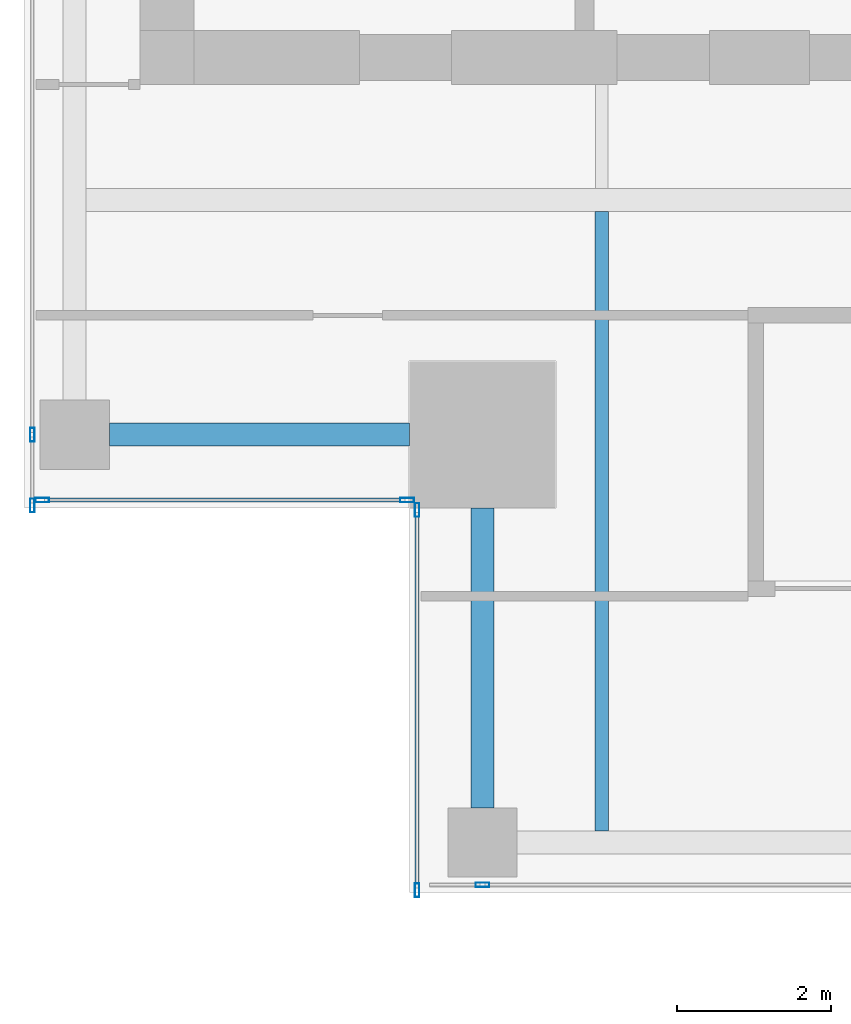
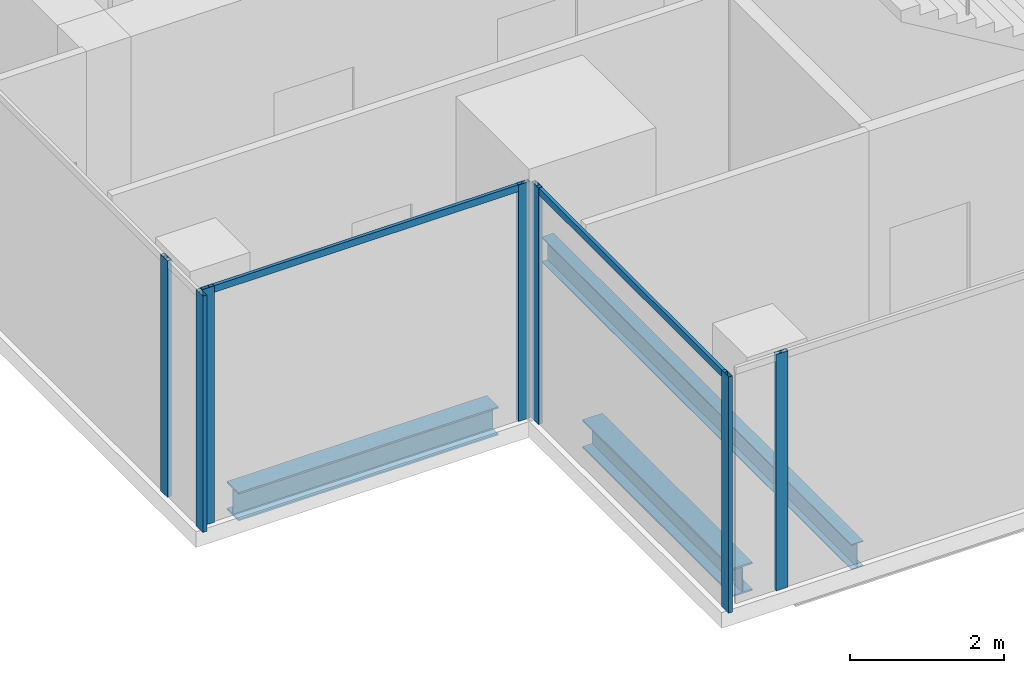
# One storey, part 2 of 36: 9 members, 3 beams, 4 elements without a shape of their own.
"""IFC4 building model written with IfcOpenShell, lengths in metres."""

from ifc_helpers import new_model, si_unit, direction, frame, origin, origin_2d, place, context, subcontext, project, spatial, hollow_rectangle, i_section, extrude, source, transform, mapped, material, material_profile, profile_set, type_object, element, aggregate, save


model = new_model("IFC4")

# Units and contexts
model_context = context("Model", 3, precision=1e-05, world=origin(), true_north=direction((0.0, 1.0)))
body_context = subcontext(model_context, "Body", "Model", "MODEL_VIEW")
ifc_project = project(units=[si_unit("LENGTHUNIT", "METRE"), si_unit("AREAUNIT", "SQUARE_METRE"), si_unit("VOLUMEUNIT", "CUBIC_METRE"), si_unit("PLANEANGLEUNIT", "RADIAN"), si_unit("MASSUNIT", "GRAM", prefix="KILO")], contexts=[model_context])

# Site, building, storey
site_placement = place(None, origin())
site = spatial("IfcSite", under=ifc_project, at=site_placement, CompositionType="ELEMENT")
building_placement = place(site_placement, origin())
building = spatial("IfcBuilding", under=site, at=building_placement, Name="Khomas Fold Tower", CompositionType="ELEMENT")
storey_placement = place(building_placement, frame((0.0, 0.0, 226.199951171875)))
storey = spatial("IfcBuildingStorey", under=building, at=storey_placement, Name="L50", CompositionType="ELEMENT", Elevation=226.199951171875)

# Beams
ifc_material_1 = material(Name="Steel S355", Category="steel")
ifc_material_profile_1 = material_profile(ifc_material_1, i_section(OverallWidth=0.300048828125, OverallDepth=0.449951171875, WebThickness=0.013916015625, FlangeThickness=0.02587890625, at=origin_2d()), Name="HE 450 B")
ifc_profile_set_1 = profile_set([ifc_material_profile_1], Name="Steel S355")
beam_type_1 = type_object("IfcBeamType", Name="HE 450 B spandrel SB4", PredefinedType="SPANDREL", material=ifc_profile_set_1)
shared_shape_1 = source(origin(), body_context, "Body", "SweptSolid", [
    extrude(i_section(OverallWidth=0.300048828125, OverallDepth=0.449951171875, WebThickness=0.013916015625, FlangeThickness=0.02587890625, at=origin_2d()), origin(), (0.0, 0.0, 1.0), 3.89990234375),
])
for number, where, z_axis, x_axis, name in (
    (1, (5.60009765625, 10.449951171875, -0.474853515625), (1.0, 0.0, 0.0), (0.0, 1.0, 0.0), "SB4"),
    (2, (10.449951171875, 5.60009765625, -0.474853515625), (0.0, 1.0, 0.0), (-1.0, 0.0, 0.0), "SB4"),
):
    element("IfcBeam", number, at=place(storey_placement, frame(where, z_axis=z_axis, x_axis=x_axis)), inside=storey, type_object=beam_type_1, Name=name, PredefinedType="SPANDREL", context=body_context, shape_type="MappedRepresentation", body=[
        mapped(shared_shape_1, transform((0.0, 0.0, 0.0))),
    ])
ifc_material_2 = material(Name="Steel S355", Category="steel")
ifc_material_profile_2 = material_profile(ifc_material_2, i_section(OverallWidth=0.179931640625, OverallDepth=0.39990234375, WebThickness=0.008544921875, FlangeThickness=0.013427734375, at=origin_2d()), Name="IPE 400")
ifc_profile_set_2 = profile_set([ifc_material_profile_2], Name="Steel S355")
beam_type_2 = type_object("IfcBeamType", Name="IPE 400 beam JB3", PredefinedType="BEAM", material=ifc_profile_set_2)
shared_shape_2 = source(origin(), body_context, "Body", "SweptSolid", [
    extrude(i_section(OverallWidth=0.179931640625, OverallDepth=0.39990234375, WebThickness=0.008544921875, FlangeThickness=0.013427734375, at=origin_2d()), origin(), (0.0, 0.0, 1.0), 8.050048828125),
])
beam_placement = place(storey_placement, frame((12.0, 5.300048828125, -0.449951171875), z_axis=(0.0, 1.0, 0.0), x_axis=(-1.0, 0.0, 0.0)))
element("IfcBeam", 3, at=beam_placement, inside=storey, type_object=beam_type_2, Name="JB3", PredefinedType="BEAM", context=body_context, shape_type="MappedRepresentation", body=[
    mapped(shared_shape_2, transform((0.0, 0.0, 0.0))),
])

# Curtain wall, member
ifc_material_3 = material(Name="Aluminium framed double glazing", Category="aluminium")
curtain_wall_type = type_object("IfcCurtainWallType", Name="SK-Unitised clear-glass wall, office floors CW2", PredefinedType="NOTDEFINED", material=ifc_material_3)
curtain_wall_1_placement = place(storey_placement, origin())
curtain_wall_1 = element("IfcCurtainWall", 4, at=curtain_wall_1_placement, inside=storey, type_object=curtain_wall_type, Name="CW2 run L50 00-0", PredefinedType="NOTDEFINED")
ifc_material_4 = material(Name="Aluminium", Category="aluminium")
ifc_material_profile_3 = material_profile(ifc_material_4, hollow_rectangle(XDim=0.06005859375, YDim=0.179931640625, WallThickness=0.00390625, at=origin_2d()), Name="SK-Unitised clear-glass wall, office floors mullion CW2-M")
ifc_profile_set_3 = profile_set([ifc_material_profile_3], Name="Aluminium")
member_type_1 = type_object("IfcMemberType", Name="SK-Unitised clear-glass wall, office floors mullion CW2-M", PredefinedType="MULLION", material=ifc_profile_set_3)
shared_shape_3 = source(origin(), body_context, "Body", "SweptSolid", [
    extrude(hollow_rectangle(XDim=0.06005859375, YDim=0.179931640625, WallThickness=0.00390625, at=origin_2d()), origin(), (0.0, 0.0, 1.0), 3.75),
])
member_1_placement = place(storey_placement, frame((10.449951171875, 4.60009765625, 0.0), z_axis=(0.0, 0.0, 1.0), x_axis=(0.0, 1.0, 0.0)))
member_1 = element("IfcMember", 5, at=member_1_placement, type_object=member_type_1, Name="CW2 mullion 2", PredefinedType="MULLION", context=body_context, shape_type="MappedRepresentation", body=[
    mapped(shared_shape_3, transform((0.0, 0.0, 0.0))),
])
aggregate(curtain_wall_1, [member_1])

# Curtain wall, members
curtain_wall_2_placement = place(storey_placement, origin())
curtain_wall_2 = element("IfcCurtainWall", 6, at=curtain_wall_2_placement, inside=storey, type_object=curtain_wall_type, Name="CW2 run L50 09-0", PredefinedType="NOTDEFINED")
member_2_placement = place(storey_placement, frame((4.60009765625, 10.449951171875, 0.0), z_axis=(0.0, 0.0, 1.0), x_axis=(1.0, 0.0, 0.0)))
member_2 = element("IfcMember", 7, at=member_2_placement, type_object=member_type_1, Name="CW2 mullion 6", PredefinedType="MULLION", context=body_context, shape_type="MappedRepresentation", body=[
    mapped(shared_shape_3, transform((0.0, 0.0, 0.0))),
])
member_3_placement = place(storey_placement, frame((4.60009765625, 9.530029296875, 0.0), z_axis=(0.0, 0.0, 1.0), x_axis=(1.0, 0.0, 0.0)))
member_3 = element("IfcMember", 8, at=member_3_placement, type_object=member_type_1, Name="CW2 mullion 7", PredefinedType="MULLION", context=body_context, shape_type="MappedRepresentation", body=[
    mapped(shared_shape_3, transform((0.0, 0.0, 0.0))),
])
aggregate(curtain_wall_2, [member_2, member_3])

curtain_wall_3_placement = place(storey_placement, origin())
curtain_wall_3 = element("IfcCurtainWall", 9, at=curtain_wall_3_placement, inside=storey, type_object=curtain_wall_type, Name="CW2 corner return L50 10", PredefinedType="NOTDEFINED")
member_4_placement = place(storey_placement, frame((4.72998046875, 9.60009765625, 0.0), z_axis=(0.0, 0.0, 1.0), x_axis=(0.0, 1.0, 0.0)))
member_4 = element("IfcMember", 10, at=member_4_placement, type_object=member_type_1, Name="CW2 mullion 1", PredefinedType="MULLION", context=body_context, shape_type="MappedRepresentation", body=[
    mapped(shared_shape_3, transform((0.0, 0.0, 0.0))),
])
member_5_placement = place(storey_placement, frame((9.469970703125, 9.60009765625, 0.0), z_axis=(0.0, 0.0, 1.0), x_axis=(0.0, 1.0, 0.0)))
member_5 = element("IfcMember", 11, at=member_5_placement, type_object=member_type_1, Name="CW2 mullion 2", PredefinedType="MULLION", context=body_context, shape_type="MappedRepresentation", body=[
    mapped(shared_shape_3, transform((0.0, 0.0, 0.0))),
])

curtain_wall_4_placement = place(storey_placement, origin())
curtain_wall_4 = element("IfcCurtainWall", 12, at=curtain_wall_4_placement, inside=storey, type_object=curtain_wall_type, Name="CW2 corner return L50 11", PredefinedType="NOTDEFINED")
member_6_placement = place(storey_placement, frame((9.60009765625, 9.469970703125, 0.0), z_axis=(0.0, 0.0, 1.0), x_axis=(1.0, 0.0, 0.0)))
member_6 = element("IfcMember", 13, at=member_6_placement, type_object=member_type_1, Name="CW2 mullion 1", PredefinedType="MULLION", context=body_context, shape_type="MappedRepresentation", body=[
    mapped(shared_shape_3, transform((0.0, 0.0, 0.0))),
])
member_7_placement = place(storey_placement, frame((9.60009765625, 4.530029296875, 0.0), z_axis=(0.0, 0.0, 1.0), x_axis=(1.0, 0.0, 0.0)))
member_7 = element("IfcMember", 14, at=member_7_placement, type_object=member_type_1, Name="CW2 mullion 2", PredefinedType="MULLION", context=body_context, shape_type="MappedRepresentation", body=[
    mapped(shared_shape_3, transform((0.0, 0.0, 0.0))),
])

# Member
ifc_material_5 = material(Name="Aluminium", Category="aluminium")
ifc_material_profile_4 = material_profile(ifc_material_5, hollow_rectangle(XDim=0.050048828125, YDim=0.110107421875, WallThickness=0.00390625, at=origin_2d()), Name="SK-Unitised clear-glass wall, office floors transom CW2-T")
ifc_profile_set_4 = profile_set([ifc_material_profile_4], Name="Aluminium")
member_type_2 = type_object("IfcMemberType", Name="SK-Unitised clear-glass wall, office floors transom CW2-T", PredefinedType="USERDEFINED", material=ifc_profile_set_4)
shared_shape_4 = source(origin(), body_context, "Body", "SweptSolid", [
    extrude(hollow_rectangle(XDim=0.050048828125, YDim=0.110107421875, WallThickness=0.00390625, at=origin_2d()), origin(), (0.0, 0.0, 1.0), 4.679931640625),
])
member_8_placement = place(storey_placement, frame((4.760009765625, 9.60009765625, 3.695068359375), z_axis=(1.0, 0.0, 0.0), x_axis=(0.0, 1.0, 0.0)))
member_8 = element("IfcMember", 15, at=member_8_placement, type_object=member_type_2, Name="CW2 transom 1", ObjectType="TRANSOM", PredefinedType="USERDEFINED", context=body_context, shape_type="MappedRepresentation", body=[
    mapped(shared_shape_4, transform((0.0, 0.0, 0.0))),
])

aggregate(curtain_wall_3, [member_4, member_5, member_8])

shared_shape_5 = source(origin(), body_context, "Body", "SweptSolid", [
    extrude(hollow_rectangle(XDim=0.050048828125, YDim=0.110107421875, WallThickness=0.00390625, at=origin_2d()), origin(), (0.0, 0.0, 1.0), 4.8798828125),
])
member_9_placement = place(storey_placement, frame((9.60009765625, 9.43994140625, 3.695068359375), z_axis=(0.0, -1.0, 0.0), x_axis=(1.0, 0.0, 0.0)))
member_9 = element("IfcMember", 16, at=member_9_placement, type_object=member_type_2, Name="CW2 transom 1", ObjectType="TRANSOM", PredefinedType="USERDEFINED", context=body_context, shape_type="MappedRepresentation", body=[
    mapped(shared_shape_5, transform((0.0, 0.0, 0.0))),
])

aggregate(curtain_wall_4, [member_6, member_7, member_9])

save(model, "model.ifc")
